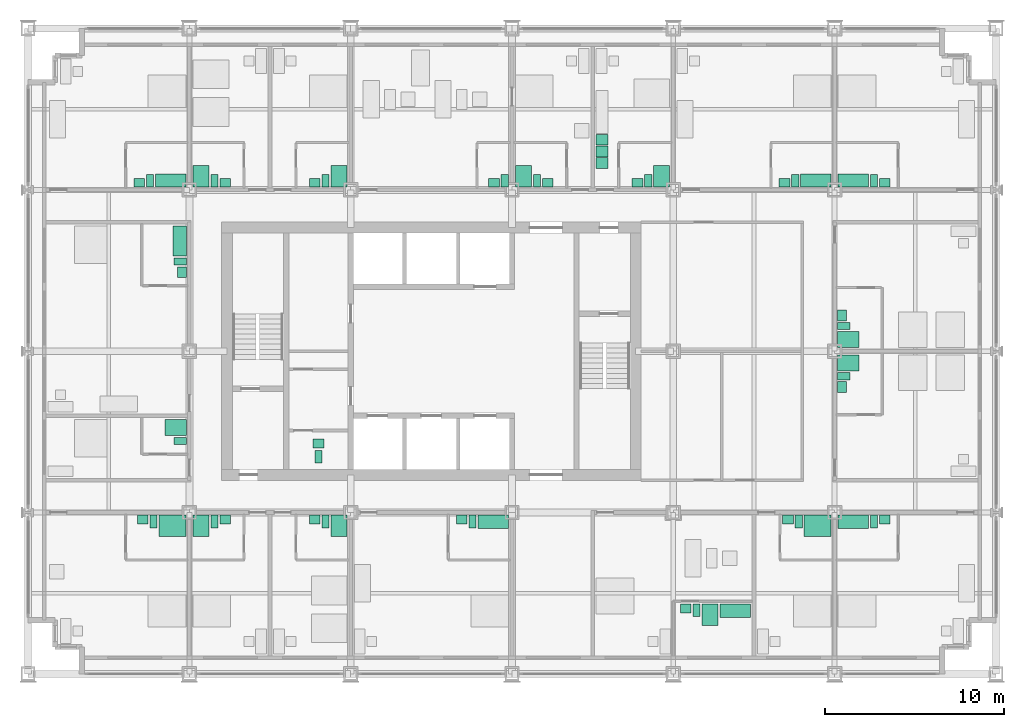
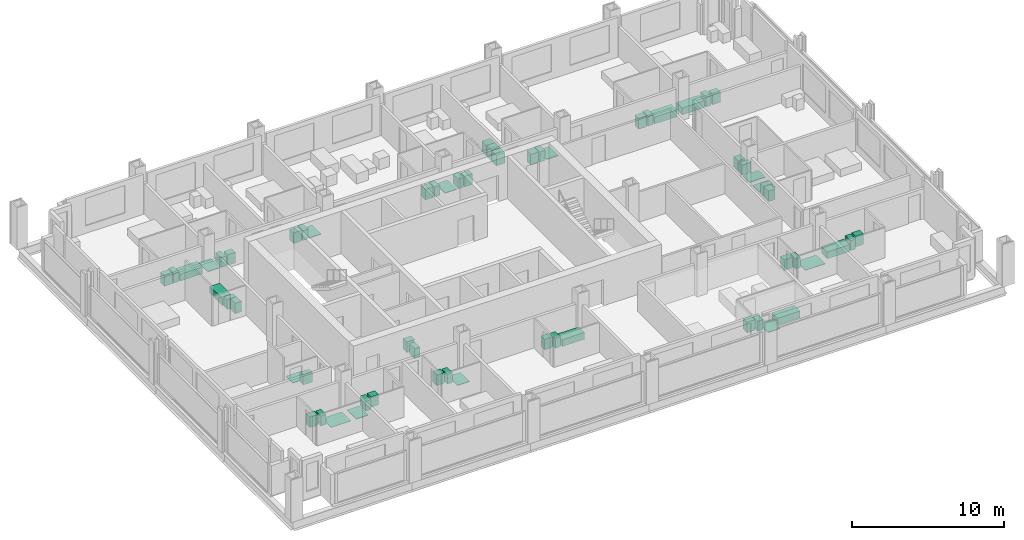
# One storey, part 17 of 18: 58 sanitary terminals, 3 electric appliances.
"""IFC4 building model written with IfcOpenShell, lengths in metres."""

from ifc_helpers import new_model, si_unit, direction, frame, origin, origin_2d, place, context, subcontext, project, spatial, rectangle, extrude, element, save


model = new_model("IFC4")

# Units and contexts
model_context = context("Model", 3, precision=1e-05, world=origin(), true_north=direction((0.0, 1.0)))
body_context = subcontext(model_context, "Body", "Model", "MODEL_VIEW")
ifc_project = project(units=[si_unit("LENGTHUNIT", "METRE"), si_unit("AREAUNIT", "SQUARE_METRE"), si_unit("VOLUMEUNIT", "CUBIC_METRE"), si_unit("PLANEANGLEUNIT", "RADIAN"), si_unit("MASSUNIT", "GRAM", prefix="KILO")], contexts=[model_context])

# Site, building, storey
site_placement = place(None, origin())
site = spatial("IfcSite", under=ifc_project, at=site_placement, CompositionType="ELEMENT")
building_placement = place(site_placement, origin())
building = spatial("IfcBuilding", under=site, at=building_placement, Name="Loomwork Tower", CompositionType="ELEMENT")
storey_placement = place(building_placement, frame((0.0, 0.0, 38.199951171875)))
storey = spatial("IfcBuildingStorey", under=building, at=storey_placement, Name="L08", CompositionType="ELEMENT", Elevation=38.199951171875)

# Sanitary terminals
sanitary_terminal_1_placement = place(storey_placement, frame((8.050048828125, 8.25, 0.0), z_axis=(0.0, 0.0, 1.0), x_axis=(1.0, 0.0, 0.0)))
element("IfcSanitaryTerminal", 1, at=sanitary_terminal_1_placement, inside=storey, Name="Roll-in shower floor L08", PredefinedType="SHOWER", context=body_context, shape_type="SweptSolid", body=[
    extrude(rectangle(XDim=1.5, YDim=1.199951171875, at=origin_2d()), origin(), (0.0, 0.0, 1.0), 0.030029296875),
])
sanitary_terminal_2_placement = place(storey_placement, frame((7.0, 8.5, 0.0), z_axis=(0.0, 0.0, 1.0), x_axis=(1.0, 0.0, 0.0)))
element("IfcSanitaryTerminal", 2, at=sanitary_terminal_2_placement, inside=storey, Name="WC L08", PredefinedType="TOILETPAN", context=body_context, shape_type="SweptSolid", body=[
    extrude(rectangle(XDim=0.39990234375, YDim=0.699951171875, at=origin_2d()), origin(), (0.0, 0.0, 1.0), 0.800048828125),
])
sanitary_terminal_3_placement = place(storey_placement, frame((6.39990234375, 8.60009765625, 0.0), z_axis=(0.0, 0.0, 1.0), x_axis=(1.0, 0.0, 0.0)))
element("IfcSanitaryTerminal", 3, at=sanitary_terminal_3_placement, inside=storey, Name="Basin vanity L08", PredefinedType="WASHHANDBASIN", context=body_context, shape_type="SweptSolid", body=[
    extrude(rectangle(XDim=0.60009765625, YDim=0.5, at=origin_2d()), origin(), (0.0, 0.0, 1.0), 0.85009765625),
])
sanitary_terminal_4_placement = place(storey_placement, frame((9.64990234375, 8.25, 0.0), z_axis=(0.0, 0.0, 1.0), x_axis=(1.0, 0.0, 0.0)))
element("IfcSanitaryTerminal", 4, at=sanitary_terminal_4_placement, inside=storey, Name="Shower tray L08", PredefinedType="SHOWER", context=body_context, shape_type="SweptSolid", body=[
    extrude(rectangle(XDim=0.89990234375, YDim=1.199951171875, at=origin_2d()), origin(), (0.0, 0.0, 1.0), 0.050048828125),
])
sanitary_terminal_5_placement = place(storey_placement, frame((10.39990234375, 8.5, 0.0), z_axis=(0.0, 0.0, 1.0), x_axis=(1.0, 0.0, 0.0)))
element("IfcSanitaryTerminal", 5, at=sanitary_terminal_5_placement, inside=storey, Name="WC L08", PredefinedType="TOILETPAN", context=body_context, shape_type="SweptSolid", body=[
    extrude(rectangle(XDim=0.39990234375, YDim=0.699951171875, at=origin_2d()), origin(), (0.0, 0.0, 1.0), 0.800048828125),
])
sanitary_terminal_6_placement = place(storey_placement, frame((11.0, 8.60009765625, 0.0), z_axis=(0.0, 0.0, 1.0), x_axis=(1.0, 0.0, 0.0)))
element("IfcSanitaryTerminal", 6, at=sanitary_terminal_6_placement, inside=storey, Name="Basin vanity L08", PredefinedType="WASHHANDBASIN", context=body_context, shape_type="SweptSolid", body=[
    extrude(rectangle(XDim=0.60009765625, YDim=0.5, at=origin_2d()), origin(), (0.0, 0.0, 1.0), 0.85009765625),
])
sanitary_terminal_7_placement = place(storey_placement, frame((17.35009765625, 8.25, 0.0), z_axis=(0.0, 0.0, 1.0), x_axis=(1.0, 0.0, 0.0)))
element("IfcSanitaryTerminal", 7, at=sanitary_terminal_7_placement, inside=storey, Name="Shower tray L08", PredefinedType="SHOWER", context=body_context, shape_type="SweptSolid", body=[
    extrude(rectangle(XDim=0.89990234375, YDim=1.199951171875, at=origin_2d()), origin(), (0.0, 0.0, 1.0), 0.050048828125),
])
sanitary_terminal_8_placement = place(storey_placement, frame((16.60009765625, 8.5, 0.0), z_axis=(0.0, 0.0, 1.0), x_axis=(1.0, 0.0, 0.0)))
element("IfcSanitaryTerminal", 8, at=sanitary_terminal_8_placement, inside=storey, Name="WC L08", PredefinedType="TOILETPAN", context=body_context, shape_type="SweptSolid", body=[
    extrude(rectangle(XDim=0.39990234375, YDim=0.699951171875, at=origin_2d()), origin(), (0.0, 0.0, 1.0), 0.800048828125),
])
sanitary_terminal_9_placement = place(storey_placement, frame((16.0, 8.60009765625, 0.0), z_axis=(0.0, 0.0, 1.0), x_axis=(1.0, 0.0, 0.0)))
element("IfcSanitaryTerminal", 9, at=sanitary_terminal_9_placement, inside=storey, Name="Basin vanity L08", PredefinedType="WASHHANDBASIN", context=body_context, shape_type="SweptSolid", body=[
    extrude(rectangle(XDim=0.60009765625, YDim=0.5, at=origin_2d()), origin(), (0.0, 0.0, 1.0), 0.85009765625),
])
sanitary_terminal_10_placement = place(storey_placement, frame((25.949951171875, 8.47509765625, 0.0), z_axis=(0.0, 0.0, 1.0), x_axis=(1.0, 0.0, 0.0)))
element("IfcSanitaryTerminal", 10, at=sanitary_terminal_10_placement, inside=storey, Name="Bath L08", PredefinedType="BATH", context=body_context, shape_type="SweptSolid", body=[
    extrude(rectangle(XDim=1.699951171875, YDim=0.75, at=origin_2d()), origin(), (0.0, 0.0, 1.0), 0.550048828125),
])
sanitary_terminal_11_placement = place(storey_placement, frame((24.800048828125, 8.5, 0.0), z_axis=(0.0, 0.0, 1.0), x_axis=(1.0, 0.0, 0.0)))
element("IfcSanitaryTerminal", 11, at=sanitary_terminal_11_placement, inside=storey, Name="WC L08", PredefinedType="TOILETPAN", context=body_context, shape_type="SweptSolid", body=[
    extrude(rectangle(XDim=0.39990234375, YDim=0.699951171875, at=origin_2d()), origin(), (0.0, 0.0, 1.0), 0.800048828125),
])
sanitary_terminal_12_placement = place(storey_placement, frame((24.199951171875, 8.60009765625, 0.0), z_axis=(0.0, 0.0, 1.0), x_axis=(1.0, 0.0, 0.0)))
element("IfcSanitaryTerminal", 12, at=sanitary_terminal_12_placement, inside=storey, Name="Basin vanity L08", PredefinedType="WASHHANDBASIN", context=body_context, shape_type="SweptSolid", body=[
    extrude(rectangle(XDim=0.60009765625, YDim=0.5, at=origin_2d()), origin(), (0.0, 0.0, 1.0), 0.85009765625),
])
sanitary_terminal_13_placement = place(storey_placement, frame((39.449951171875, 3.52490234375, 0.0), z_axis=(0.0, 0.0, 1.0), x_axis=(1.0, 0.0, 0.0)))
element("IfcSanitaryTerminal", 13, at=sanitary_terminal_13_placement, inside=storey, Name="Bath L08", PredefinedType="BATH", context=body_context, shape_type="SweptSolid", body=[
    extrude(rectangle(XDim=1.699951171875, YDim=0.75, at=origin_2d()), origin(), (0.0, 0.0, 1.0), 0.550048828125),
])
sanitary_terminal_14_placement = place(storey_placement, frame((38.050048828125, 3.300048828125, 0.0), z_axis=(0.0, 0.0, 1.0), x_axis=(1.0, 0.0, 0.0)))
element("IfcSanitaryTerminal", 14, at=sanitary_terminal_14_placement, inside=storey, Name="Shower tray L08", PredefinedType="SHOWER", context=body_context, shape_type="SweptSolid", body=[
    extrude(rectangle(XDim=0.89990234375, YDim=1.199951171875, at=origin_2d()), origin(), (0.0, 0.0, 1.0), 0.050048828125),
])
sanitary_terminal_15_placement = place(storey_placement, frame((37.300048828125, 3.550048828125, 0.0), z_axis=(0.0, 0.0, 1.0), x_axis=(1.0, 0.0, 0.0)))
element("IfcSanitaryTerminal", 15, at=sanitary_terminal_15_placement, inside=storey, Name="WC L08", PredefinedType="TOILETPAN", context=body_context, shape_type="SweptSolid", body=[
    extrude(rectangle(XDim=0.39990234375, YDim=0.699951171875, at=origin_2d()), origin(), (0.0, 0.0, 1.0), 0.800048828125),
])
sanitary_terminal_16_placement = place(storey_placement, frame((36.699951171875, 3.64990234375, 0.0), z_axis=(0.0, 0.0, 1.0), x_axis=(1.0, 0.0, 0.0)))
element("IfcSanitaryTerminal", 16, at=sanitary_terminal_16_placement, inside=storey, Name="Basin vanity L08", PredefinedType="WASHHANDBASIN", context=body_context, shape_type="SweptSolid", body=[
    extrude(rectangle(XDim=0.60009765625, YDim=0.5, at=origin_2d()), origin(), (0.0, 0.0, 1.0), 0.85009765625),
])
sanitary_terminal_17_placement = place(storey_placement, frame((44.050048828125, 8.25, 0.0), z_axis=(0.0, 0.0, 1.0), x_axis=(1.0, 0.0, 0.0)))
element("IfcSanitaryTerminal", 17, at=sanitary_terminal_17_placement, inside=storey, Name="Roll-in shower floor L08", PredefinedType="SHOWER", context=body_context, shape_type="SweptSolid", body=[
    extrude(rectangle(XDim=1.5, YDim=1.199951171875, at=origin_2d()), origin(), (0.0, 0.0, 1.0), 0.030029296875),
])
sanitary_terminal_18_placement = place(storey_placement, frame((43.0, 8.5, 0.0), z_axis=(0.0, 0.0, 1.0), x_axis=(1.0, 0.0, 0.0)))
element("IfcSanitaryTerminal", 18, at=sanitary_terminal_18_placement, inside=storey, Name="WC L08", PredefinedType="TOILETPAN", context=body_context, shape_type="SweptSolid", body=[
    extrude(rectangle(XDim=0.39990234375, YDim=0.699951171875, at=origin_2d()), origin(), (0.0, 0.0, 1.0), 0.800048828125),
])
sanitary_terminal_19_placement = place(storey_placement, frame((42.39990234375, 8.60009765625, 0.0), z_axis=(0.0, 0.0, 1.0), x_axis=(1.0, 0.0, 0.0)))
element("IfcSanitaryTerminal", 19, at=sanitary_terminal_19_placement, inside=storey, Name="Basin vanity L08", PredefinedType="WASHHANDBASIN", context=body_context, shape_type="SweptSolid", body=[
    extrude(rectangle(XDim=0.60009765625, YDim=0.5, at=origin_2d()), origin(), (0.0, 0.0, 1.0), 0.85009765625),
])
sanitary_terminal_20_placement = place(storey_placement, frame((46.050048828125, 8.47509765625, 0.0), z_axis=(0.0, 0.0, 1.0), x_axis=(1.0, 0.0, 0.0)))
element("IfcSanitaryTerminal", 20, at=sanitary_terminal_20_placement, inside=storey, Name="Bath L08", PredefinedType="BATH", context=body_context, shape_type="SweptSolid", body=[
    extrude(rectangle(XDim=1.699951171875, YDim=0.75, at=origin_2d()), origin(), (0.0, 0.0, 1.0), 0.550048828125),
])
sanitary_terminal_21_placement = place(storey_placement, frame((47.199951171875, 8.5, 0.0), z_axis=(0.0, 0.0, 1.0), x_axis=(1.0, 0.0, 0.0)))
element("IfcSanitaryTerminal", 21, at=sanitary_terminal_21_placement, inside=storey, Name="WC L08", PredefinedType="TOILETPAN", context=body_context, shape_type="SweptSolid", body=[
    extrude(rectangle(XDim=0.39990234375, YDim=0.699951171875, at=origin_2d()), origin(), (0.0, 0.0, 1.0), 0.800048828125),
])
sanitary_terminal_22_placement = place(storey_placement, frame((47.800048828125, 8.60009765625, 0.0), z_axis=(0.0, 0.0, 1.0), x_axis=(1.0, 0.0, 0.0)))
element("IfcSanitaryTerminal", 22, at=sanitary_terminal_22_placement, inside=storey, Name="Basin vanity L08", PredefinedType="WASHHANDBASIN", context=body_context, shape_type="SweptSolid", body=[
    extrude(rectangle(XDim=0.60009765625, YDim=0.5, at=origin_2d()), origin(), (0.0, 0.0, 1.0), 0.85009765625),
])
sanitary_terminal_23_placement = place(storey_placement, frame((7.949951171875, 27.52490234375, 0.0), z_axis=(0.0, 0.0, 1.0), x_axis=(1.0, 0.0, 0.0)))
element("IfcSanitaryTerminal", 23, at=sanitary_terminal_23_placement, inside=storey, Name="Bath L08", PredefinedType="BATH", context=body_context, shape_type="SweptSolid", body=[
    extrude(rectangle(XDim=1.699951171875, YDim=0.75, at=origin_2d()), origin(), (0.0, 0.0, 1.0), 0.550048828125),
])
sanitary_terminal_24_placement = place(storey_placement, frame((6.800048828125, 27.5, 0.0), z_axis=(0.0, 0.0, 1.0), x_axis=(1.0, 0.0, 0.0)))
element("IfcSanitaryTerminal", 24, at=sanitary_terminal_24_placement, inside=storey, Name="WC L08", PredefinedType="TOILETPAN", context=body_context, shape_type="SweptSolid", body=[
    extrude(rectangle(XDim=0.39990234375, YDim=0.699951171875, at=origin_2d()), origin(), (0.0, 0.0, 1.0), 0.800048828125),
])
sanitary_terminal_25_placement = place(storey_placement, frame((6.199951171875, 27.39990234375, 0.0), z_axis=(0.0, 0.0, 1.0), x_axis=(1.0, 0.0, 0.0)))
element("IfcSanitaryTerminal", 25, at=sanitary_terminal_25_placement, inside=storey, Name="Basin vanity L08", PredefinedType="WASHHANDBASIN", context=body_context, shape_type="SweptSolid", body=[
    extrude(rectangle(XDim=0.60009765625, YDim=0.5, at=origin_2d()), origin(), (0.0, 0.0, 1.0), 0.85009765625),
])
sanitary_terminal_26_placement = place(storey_placement, frame((9.64990234375, 27.75, 0.0), z_axis=(0.0, 0.0, 1.0), x_axis=(1.0, 0.0, 0.0)))
element("IfcSanitaryTerminal", 26, at=sanitary_terminal_26_placement, inside=storey, Name="Shower tray L08", PredefinedType="SHOWER", context=body_context, shape_type="SweptSolid", body=[
    extrude(rectangle(XDim=0.89990234375, YDim=1.199951171875, at=origin_2d()), origin(), (0.0, 0.0, 1.0), 0.050048828125),
])
sanitary_terminal_27_placement = place(storey_placement, frame((10.39990234375, 27.5, 0.0), z_axis=(0.0, 0.0, 1.0), x_axis=(1.0, 0.0, 0.0)))
element("IfcSanitaryTerminal", 27, at=sanitary_terminal_27_placement, inside=storey, Name="WC L08", PredefinedType="TOILETPAN", context=body_context, shape_type="SweptSolid", body=[
    extrude(rectangle(XDim=0.39990234375, YDim=0.699951171875, at=origin_2d()), origin(), (0.0, 0.0, 1.0), 0.800048828125),
])
sanitary_terminal_28_placement = place(storey_placement, frame((11.0, 27.39990234375, 0.0), z_axis=(0.0, 0.0, 1.0), x_axis=(1.0, 0.0, 0.0)))
element("IfcSanitaryTerminal", 28, at=sanitary_terminal_28_placement, inside=storey, Name="Basin vanity L08", PredefinedType="WASHHANDBASIN", context=body_context, shape_type="SweptSolid", body=[
    extrude(rectangle(XDim=0.60009765625, YDim=0.5, at=origin_2d()), origin(), (0.0, 0.0, 1.0), 0.85009765625),
])
sanitary_terminal_29_placement = place(storey_placement, frame((17.35009765625, 27.75, 0.0), z_axis=(0.0, 0.0, 1.0), x_axis=(1.0, 0.0, 0.0)))
element("IfcSanitaryTerminal", 29, at=sanitary_terminal_29_placement, inside=storey, Name="Shower tray L08", PredefinedType="SHOWER", context=body_context, shape_type="SweptSolid", body=[
    extrude(rectangle(XDim=0.89990234375, YDim=1.199951171875, at=origin_2d()), origin(), (0.0, 0.0, 1.0), 0.050048828125),
])
sanitary_terminal_30_placement = place(storey_placement, frame((16.60009765625, 27.5, 0.0), z_axis=(0.0, 0.0, 1.0), x_axis=(1.0, 0.0, 0.0)))
element("IfcSanitaryTerminal", 30, at=sanitary_terminal_30_placement, inside=storey, Name="WC L08", PredefinedType="TOILETPAN", context=body_context, shape_type="SweptSolid", body=[
    extrude(rectangle(XDim=0.39990234375, YDim=0.699951171875, at=origin_2d()), origin(), (0.0, 0.0, 1.0), 0.800048828125),
])
sanitary_terminal_31_placement = place(storey_placement, frame((16.0, 27.39990234375, 0.0), z_axis=(0.0, 0.0, 1.0), x_axis=(1.0, 0.0, 0.0)))
element("IfcSanitaryTerminal", 31, at=sanitary_terminal_31_placement, inside=storey, Name="Basin vanity L08", PredefinedType="WASHHANDBASIN", context=body_context, shape_type="SweptSolid", body=[
    extrude(rectangle(XDim=0.60009765625, YDim=0.5, at=origin_2d()), origin(), (0.0, 0.0, 1.0), 0.85009765625),
])
sanitary_terminal_32_placement = place(storey_placement, frame((26.60009765625, 27.5, 0.0), z_axis=(0.0, 0.0, 1.0), x_axis=(1.0, 0.0, 0.0)))
element("IfcSanitaryTerminal", 32, at=sanitary_terminal_32_placement, inside=storey, Name="WC L08", PredefinedType="TOILETPAN", context=body_context, shape_type="SweptSolid", body=[
    extrude(rectangle(XDim=0.39990234375, YDim=0.699951171875, at=origin_2d()), origin(), (0.0, 0.0, 1.0), 0.800048828125),
])
sanitary_terminal_33_placement = place(storey_placement, frame((26.0, 27.39990234375, 0.0), z_axis=(0.0, 0.0, 1.0), x_axis=(1.0, 0.0, 0.0)))
element("IfcSanitaryTerminal", 33, at=sanitary_terminal_33_placement, inside=storey, Name="Basin vanity L08", PredefinedType="WASHHANDBASIN", context=body_context, shape_type="SweptSolid", body=[
    extrude(rectangle(XDim=0.60009765625, YDim=0.5, at=origin_2d()), origin(), (0.0, 0.0, 1.0), 0.85009765625),
])
sanitary_terminal_34_placement = place(storey_placement, frame((27.64990234375, 27.75, 0.0), z_axis=(0.0, 0.0, 1.0), x_axis=(1.0, 0.0, 0.0)))
element("IfcSanitaryTerminal", 34, at=sanitary_terminal_34_placement, inside=storey, Name="Shower tray L08", PredefinedType="SHOWER", context=body_context, shape_type="SweptSolid", body=[
    extrude(rectangle(XDim=0.89990234375, YDim=1.199951171875, at=origin_2d()), origin(), (0.0, 0.0, 1.0), 0.050048828125),
])
sanitary_terminal_35_placement = place(storey_placement, frame((28.39990234375, 27.5, 0.0), z_axis=(0.0, 0.0, 1.0), x_axis=(1.0, 0.0, 0.0)))
element("IfcSanitaryTerminal", 35, at=sanitary_terminal_35_placement, inside=storey, Name="WC L08", PredefinedType="TOILETPAN", context=body_context, shape_type="SweptSolid", body=[
    extrude(rectangle(XDim=0.39990234375, YDim=0.699951171875, at=origin_2d()), origin(), (0.0, 0.0, 1.0), 0.800048828125),
])
sanitary_terminal_36_placement = place(storey_placement, frame((29.0, 27.39990234375, 0.0), z_axis=(0.0, 0.0, 1.0), x_axis=(1.0, 0.0, 0.0)))
element("IfcSanitaryTerminal", 36, at=sanitary_terminal_36_placement, inside=storey, Name="Basin vanity L08", PredefinedType="WASHHANDBASIN", context=body_context, shape_type="SweptSolid", body=[
    extrude(rectangle(XDim=0.60009765625, YDim=0.5, at=origin_2d()), origin(), (0.0, 0.0, 1.0), 0.85009765625),
])
sanitary_terminal_37_placement = place(storey_placement, frame((35.35009765625, 27.75, 0.0), z_axis=(0.0, 0.0, 1.0), x_axis=(1.0, 0.0, 0.0)))
element("IfcSanitaryTerminal", 37, at=sanitary_terminal_37_placement, inside=storey, Name="Shower tray L08", PredefinedType="SHOWER", context=body_context, shape_type="SweptSolid", body=[
    extrude(rectangle(XDim=0.89990234375, YDim=1.199951171875, at=origin_2d()), origin(), (0.0, 0.0, 1.0), 0.050048828125),
])
sanitary_terminal_38_placement = place(storey_placement, frame((34.60009765625, 27.5, 0.0), z_axis=(0.0, 0.0, 1.0), x_axis=(1.0, 0.0, 0.0)))
element("IfcSanitaryTerminal", 38, at=sanitary_terminal_38_placement, inside=storey, Name="WC L08", PredefinedType="TOILETPAN", context=body_context, shape_type="SweptSolid", body=[
    extrude(rectangle(XDim=0.39990234375, YDim=0.699951171875, at=origin_2d()), origin(), (0.0, 0.0, 1.0), 0.800048828125),
])
sanitary_terminal_39_placement = place(storey_placement, frame((34.0, 27.39990234375, 0.0), z_axis=(0.0, 0.0, 1.0), x_axis=(1.0, 0.0, 0.0)))
element("IfcSanitaryTerminal", 39, at=sanitary_terminal_39_placement, inside=storey, Name="Basin vanity L08", PredefinedType="WASHHANDBASIN", context=body_context, shape_type="SweptSolid", body=[
    extrude(rectangle(XDim=0.60009765625, YDim=0.5, at=origin_2d()), origin(), (0.0, 0.0, 1.0), 0.85009765625),
])

# Electric appliances
electric_appliance_1_placement = place(storey_placement, frame((32.02490234375, 28.5, 0.0), z_axis=(0.0, 0.0, 1.0), x_axis=(1.0, 0.0, 0.0)))
element("IfcElectricAppliance", 40, at=electric_appliance_1_placement, inside=storey, Name="Refrigerator L08", PredefinedType="REFRIGERATOR", context=body_context, shape_type="SweptSolid", body=[
    extrude(rectangle(XDim=0.64990234375, YDim=0.60009765625, at=origin_2d()), origin(), (0.0, 0.0, 1.0), 0.85009765625),
])
electric_appliance_2_placement = place(storey_placement, frame((32.02490234375, 29.14990234375, 0.0), z_axis=(0.0, 0.0, 1.0), x_axis=(1.0, 0.0, 0.0)))
element("IfcElectricAppliance", 41, at=electric_appliance_2_placement, inside=storey, Name="Two-ring cooktop and oven L08", PredefinedType="ELECTRICCOOKER", context=body_context, shape_type="SweptSolid", body=[
    extrude(rectangle(XDim=0.64990234375, YDim=0.60009765625, at=origin_2d()), origin(), (0.0, 0.0, 1.0), 0.89990234375),
])
electric_appliance_3_placement = place(storey_placement, frame((32.02490234375, 29.800048828125, 0.0), z_axis=(0.0, 0.0, 1.0), x_axis=(1.0, 0.0, 0.0)))
element("IfcElectricAppliance", 42, at=electric_appliance_3_placement, inside=storey, Name="Dishwasher L08", PredefinedType="DISHWASHER", context=body_context, shape_type="SweptSolid", body=[
    extrude(rectangle(XDim=0.64990234375, YDim=0.60009765625, at=origin_2d()), origin(), (0.0, 0.0, 1.0), 0.85009765625),
])

# Sanitary terminals
sanitary_terminal_40_placement = place(storey_placement, frame((43.949951171875, 27.52490234375, 0.0), z_axis=(0.0, 0.0, 1.0), x_axis=(1.0, 0.0, 0.0)))
element("IfcSanitaryTerminal", 43, at=sanitary_terminal_40_placement, inside=storey, Name="Bath L08", PredefinedType="BATH", context=body_context, shape_type="SweptSolid", body=[
    extrude(rectangle(XDim=1.699951171875, YDim=0.75, at=origin_2d()), origin(), (0.0, 0.0, 1.0), 0.550048828125),
])
sanitary_terminal_41_placement = place(storey_placement, frame((42.800048828125, 27.5, 0.0), z_axis=(0.0, 0.0, 1.0), x_axis=(1.0, 0.0, 0.0)))
element("IfcSanitaryTerminal", 44, at=sanitary_terminal_41_placement, inside=storey, Name="WC L08", PredefinedType="TOILETPAN", context=body_context, shape_type="SweptSolid", body=[
    extrude(rectangle(XDim=0.39990234375, YDim=0.699951171875, at=origin_2d()), origin(), (0.0, 0.0, 1.0), 0.800048828125),
])
sanitary_terminal_42_placement = place(storey_placement, frame((42.199951171875, 27.39990234375, 0.0), z_axis=(0.0, 0.0, 1.0), x_axis=(1.0, 0.0, 0.0)))
element("IfcSanitaryTerminal", 45, at=sanitary_terminal_42_placement, inside=storey, Name="Basin vanity L08", PredefinedType="WASHHANDBASIN", context=body_context, shape_type="SweptSolid", body=[
    extrude(rectangle(XDim=0.60009765625, YDim=0.5, at=origin_2d()), origin(), (0.0, 0.0, 1.0), 0.85009765625),
])
sanitary_terminal_43_placement = place(storey_placement, frame((46.050048828125, 27.52490234375, 0.0), z_axis=(0.0, 0.0, 1.0), x_axis=(1.0, 0.0, 0.0)))
element("IfcSanitaryTerminal", 46, at=sanitary_terminal_43_placement, inside=storey, Name="Bath L08", PredefinedType="BATH", context=body_context, shape_type="SweptSolid", body=[
    extrude(rectangle(XDim=1.699951171875, YDim=0.75, at=origin_2d()), origin(), (0.0, 0.0, 1.0), 0.550048828125),
])
sanitary_terminal_44_placement = place(storey_placement, frame((47.199951171875, 27.5, 0.0), z_axis=(0.0, 0.0, 1.0), x_axis=(1.0, 0.0, 0.0)))
element("IfcSanitaryTerminal", 47, at=sanitary_terminal_44_placement, inside=storey, Name="WC L08", PredefinedType="TOILETPAN", context=body_context, shape_type="SweptSolid", body=[
    extrude(rectangle(XDim=0.39990234375, YDim=0.699951171875, at=origin_2d()), origin(), (0.0, 0.0, 1.0), 0.800048828125),
])
sanitary_terminal_45_placement = place(storey_placement, frame((47.800048828125, 27.39990234375, 0.0), z_axis=(0.0, 0.0, 1.0), x_axis=(1.0, 0.0, 0.0)))
element("IfcSanitaryTerminal", 48, at=sanitary_terminal_45_placement, inside=storey, Name="Basin vanity L08", PredefinedType="WASHHANDBASIN", context=body_context, shape_type="SweptSolid", body=[
    extrude(rectangle(XDim=0.60009765625, YDim=0.5, at=origin_2d()), origin(), (0.0, 0.0, 1.0), 0.85009765625),
])
sanitary_terminal_46_placement = place(storey_placement, frame((8.25, 13.75, 0.0), z_axis=(0.0, 0.0, 1.0), x_axis=(1.0, 0.0, 0.0)))
element("IfcSanitaryTerminal", 49, at=sanitary_terminal_46_placement, inside=storey, Name="Shower tray L08", PredefinedType="SHOWER", context=body_context, shape_type="SweptSolid", body=[
    extrude(rectangle(XDim=1.199951171875, YDim=0.89990234375, at=origin_2d()), origin(), (0.0, 0.0, 1.0), 0.050048828125),
])
sanitary_terminal_47_placement = place(storey_placement, frame((8.5, 13.0, 0.0), z_axis=(0.0, 0.0, 1.0), x_axis=(1.0, 0.0, 0.0)))
element("IfcSanitaryTerminal", 50, at=sanitary_terminal_47_placement, inside=storey, Name="WC L08", PredefinedType="TOILETPAN", context=body_context, shape_type="SweptSolid", body=[
    extrude(rectangle(XDim=0.699951171875, YDim=0.39990234375, at=origin_2d()), origin(), (0.0, 0.0, 1.0), 0.800048828125),
])
sanitary_terminal_48_placement = place(storey_placement, frame((8.47509765625, 24.14990234375, 0.0), z_axis=(0.0, 0.0, 1.0), x_axis=(1.0, 0.0, 0.0)))
element("IfcSanitaryTerminal", 51, at=sanitary_terminal_48_placement, inside=storey, Name="Bath L08", PredefinedType="BATH", context=body_context, shape_type="SweptSolid", body=[
    extrude(rectangle(XDim=0.75, YDim=1.699951171875, at=origin_2d()), origin(), (0.0, 0.0, 1.0), 0.550048828125),
])
sanitary_terminal_49_placement = place(storey_placement, frame((8.5, 23.0, 0.0), z_axis=(0.0, 0.0, 1.0), x_axis=(1.0, 0.0, 0.0)))
element("IfcSanitaryTerminal", 52, at=sanitary_terminal_49_placement, inside=storey, Name="WC L08", PredefinedType="TOILETPAN", context=body_context, shape_type="SweptSolid", body=[
    extrude(rectangle(XDim=0.699951171875, YDim=0.39990234375, at=origin_2d()), origin(), (0.0, 0.0, 1.0), 0.800048828125),
])
sanitary_terminal_50_placement = place(storey_placement, frame((8.60009765625, 22.39990234375, 0.0), z_axis=(0.0, 0.0, 1.0), x_axis=(1.0, 0.0, 0.0)))
element("IfcSanitaryTerminal", 53, at=sanitary_terminal_50_placement, inside=storey, Name="Basin vanity L08", PredefinedType="WASHHANDBASIN", context=body_context, shape_type="SweptSolid", body=[
    extrude(rectangle(XDim=0.5, YDim=0.60009765625, at=origin_2d()), origin(), (0.0, 0.0, 1.0), 0.85009765625),
])
sanitary_terminal_51_placement = place(storey_placement, frame((45.75, 17.35009765625, 0.0), z_axis=(0.0, 0.0, 1.0), x_axis=(1.0, 0.0, 0.0)))
element("IfcSanitaryTerminal", 54, at=sanitary_terminal_51_placement, inside=storey, Name="Shower tray L08", PredefinedType="SHOWER", context=body_context, shape_type="SweptSolid", body=[
    extrude(rectangle(XDim=1.199951171875, YDim=0.89990234375, at=origin_2d()), origin(), (0.0, 0.0, 1.0), 0.050048828125),
])
sanitary_terminal_52_placement = place(storey_placement, frame((45.5, 16.60009765625, 0.0), z_axis=(0.0, 0.0, 1.0), x_axis=(1.0, 0.0, 0.0)))
element("IfcSanitaryTerminal", 55, at=sanitary_terminal_52_placement, inside=storey, Name="WC L08", PredefinedType="TOILETPAN", context=body_context, shape_type="SweptSolid", body=[
    extrude(rectangle(XDim=0.699951171875, YDim=0.39990234375, at=origin_2d()), origin(), (0.0, 0.0, 1.0), 0.800048828125),
])
sanitary_terminal_53_placement = place(storey_placement, frame((45.39990234375, 16.0, 0.0), z_axis=(0.0, 0.0, 1.0), x_axis=(1.0, 0.0, 0.0)))
element("IfcSanitaryTerminal", 56, at=sanitary_terminal_53_placement, inside=storey, Name="Basin vanity L08", PredefinedType="WASHHANDBASIN", context=body_context, shape_type="SweptSolid", body=[
    extrude(rectangle(XDim=0.5, YDim=0.60009765625, at=origin_2d()), origin(), (0.0, 0.0, 1.0), 0.85009765625),
])
sanitary_terminal_54_placement = place(storey_placement, frame((45.75, 18.64990234375, 0.0), z_axis=(0.0, 0.0, 1.0), x_axis=(1.0, 0.0, 0.0)))
element("IfcSanitaryTerminal", 57, at=sanitary_terminal_54_placement, inside=storey, Name="Shower tray L08", PredefinedType="SHOWER", context=body_context, shape_type="SweptSolid", body=[
    extrude(rectangle(XDim=1.199951171875, YDim=0.89990234375, at=origin_2d()), origin(), (0.0, 0.0, 1.0), 0.050048828125),
])
sanitary_terminal_55_placement = place(storey_placement, frame((45.5, 19.39990234375, 0.0), z_axis=(0.0, 0.0, 1.0), x_axis=(1.0, 0.0, 0.0)))
element("IfcSanitaryTerminal", 58, at=sanitary_terminal_55_placement, inside=storey, Name="WC L08", PredefinedType="TOILETPAN", context=body_context, shape_type="SweptSolid", body=[
    extrude(rectangle(XDim=0.699951171875, YDim=0.39990234375, at=origin_2d()), origin(), (0.0, 0.0, 1.0), 0.800048828125),
])
sanitary_terminal_56_placement = place(storey_placement, frame((45.39990234375, 20.0, 0.0), z_axis=(0.0, 0.0, 1.0), x_axis=(1.0, 0.0, 0.0)))
element("IfcSanitaryTerminal", 59, at=sanitary_terminal_56_placement, inside=storey, Name="Basin vanity L08", PredefinedType="WASHHANDBASIN", context=body_context, shape_type="SweptSolid", body=[
    extrude(rectangle(XDim=0.5, YDim=0.60009765625, at=origin_2d()), origin(), (0.0, 0.0, 1.0), 0.85009765625),
])
sanitary_terminal_57_placement = place(storey_placement, frame((16.199951171875, 12.10009765625, 0.0), z_axis=(0.0, 0.0, 1.0), x_axis=(1.0, 0.0, 0.0)))
element("IfcSanitaryTerminal", 60, at=sanitary_terminal_57_placement, inside=storey, Name="WC L08", PredefinedType="TOILETPAN", context=body_context, shape_type="SweptSolid", body=[
    extrude(rectangle(XDim=0.39990234375, YDim=0.699951171875, at=origin_2d()), origin(), (0.0, 0.0, 1.0), 0.800048828125),
])
sanitary_terminal_58_placement = place(storey_placement, frame((16.199951171875, 12.85009765625, 0.0), z_axis=(0.0, 0.0, 1.0), x_axis=(1.0, 0.0, 0.0)))
element("IfcSanitaryTerminal", 61, at=sanitary_terminal_58_placement, inside=storey, Name="Basin L08", PredefinedType="WASHHANDBASIN", context=body_context, shape_type="SweptSolid", body=[
    extrude(rectangle(XDim=0.60009765625, YDim=0.5, at=origin_2d()), origin(), (0.0, 0.0, 1.0), 0.85009765625),
])

save(model, "model.ifc")
